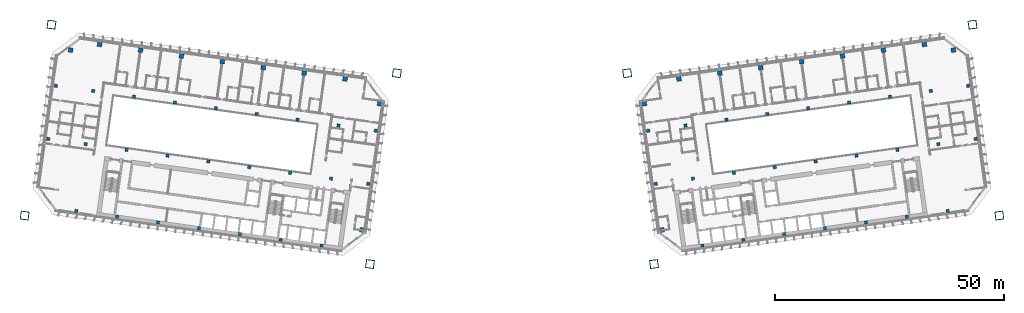
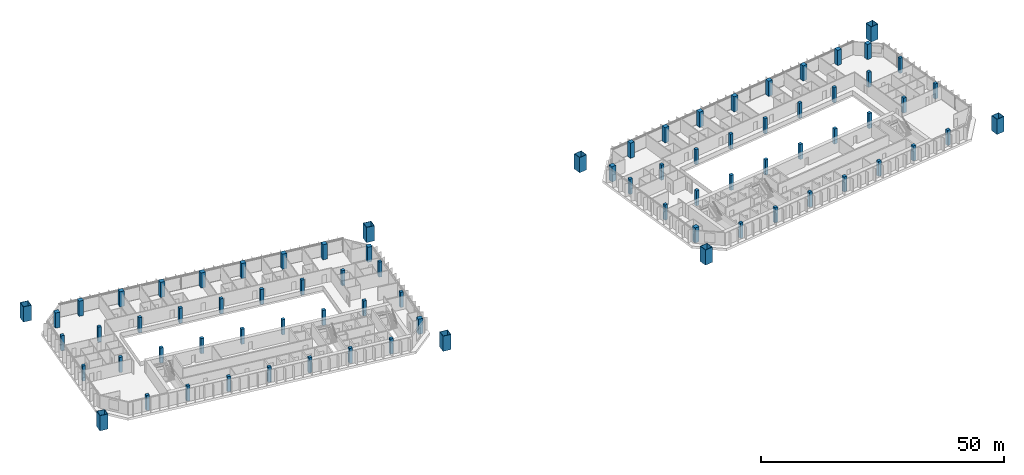
# One storey, part 1 of 24: 78 columns.
"""IFC4 building model written with IfcOpenShell, lengths in metres."""

import ifcopenshell
import ifcopenshell.guid

model = None  # the IFC model being written
_history = None  # IfcOwnerHistory: only IFC2X3 demands one
_inside = {}  # id of a spatial element -> (the spatial element, [elements in it])
_under = {}  # id of a project, library or spatial element -> (it, [spatial elements below it])
_declared = {}  # id of a project -> (the project, [libraries it declares])
_typed = {}  # id of a type object -> (the type object, [elements of that type])
_made_of = {}  # id of a material, layer set ... -> (it, [elements and type objects made of it])


def new_model(schema):
    """Start an empty IFC model of exactly this schema.

    Asked for "IFC4X3", IfcOpenShell would pick the latest addendum, in which some entities
    have other attributes; the version numbers below select the first issue.
    IFC2X3 requires an IfcOwnerHistory on every rooted entity: one is made here for all.
    """
    global model, _history
    if schema == "IFC4X3":
        model = ifcopenshell.file(schema_version=(4, 3, 0, 0))
    else:
        model = ifcopenshell.file(schema=schema)
    _inside.clear()
    _under.clear()
    _declared.clear()
    _typed.clear()
    _made_of.clear()
    _history = None
    if model.schema == "IFC2X3":
        org = make("IfcOrganization", Name="unknown")
        user = make(
            "IfcPersonAndOrganization",
            ThePerson=make("IfcPerson", FamilyName="unknown"),
            TheOrganization=org,
        )
        app = make(
            "IfcApplication",
            ApplicationDeveloper=org,
            Version="unknown",
            ApplicationFullName="unknown",
            ApplicationIdentifier="unknown",
        )
        _history = make(
            "IfcOwnerHistory",
            OwningUser=user,
            OwningApplication=app,
            ChangeAction="ADDED",
            CreationDate=0,
        )
    return model


def make(cls, **values):
    """One entity of the class cls with the attributes given. An attribute that is None is left unset."""
    return model.create_entity(
        cls, **{name: value for name, value in values.items() if value is not None}
    )


def rooted(cls, **values):
    """An entity with a GlobalId (a new one), such as an element, a storey or a relation."""
    return make(cls, GlobalId=ifcopenshell.guid.new(), OwnerHistory=_history, **values)


def si_unit(unit_type, name, prefix=None):
    """IfcSIUnit, for example si_unit("LENGTHUNIT", "METRE", prefix="MILLI")."""
    return make("IfcSIUnit", UnitType=unit_type, Prefix=prefix, Name=name)


def assignment(units):
    """IfcUnitAssignment: the units of a project."""
    return None if units is None else make("IfcUnitAssignment", Units=units)


def point(xyz):
    """IfcCartesianPoint."""
    return None if xyz is None else make("IfcCartesianPoint", Coordinates=xyz)


def direction(xyz):
    """IfcDirection."""
    return None if xyz is None else make("IfcDirection", DirectionRatios=xyz)


def frame(location, z_axis=None, x_axis=None):
    """IfcAxis2Placement3D, a coordinate frame: its origin and axes. An axis left out is left unset."""
    return make(
        "IfcAxis2Placement3D",
        Location=point(location),
        Axis=direction(z_axis),
        RefDirection=direction(x_axis),
    )


def frame_2d(location, x_axis=None):
    """IfcAxis2Placement2D, a coordinate frame in the plane: its origin and x axis."""
    return make(
        "IfcAxis2Placement2D", Location=point(location), RefDirection=direction(x_axis)
    )


def origin():
    """The frame at (0, 0, 0) with its axes left unset."""
    return frame((0.0, 0.0, 0.0))


def origin_2d():
    """The frame at (0, 0) in the plane with its x axis left unset."""
    return frame_2d((0.0, 0.0))


def place(relative_to, where):
    """IfcLocalPlacement: puts the frame where relative to a parent placement (None: the world)."""
    return make(
        "IfcLocalPlacement", PlacementRelTo=relative_to, RelativePlacement=where
    )


def context(
    kind, dimensions, precision=None, world=None, true_north=None, identifier=None
):
    """IfcGeometricRepresentationContext, for example the 3D "Model" context."""
    return make(
        "IfcGeometricRepresentationContext",
        ContextIdentifier=identifier,
        ContextType=kind,
        CoordinateSpaceDimension=dimensions,
        Precision=precision,
        WorldCoordinateSystem=world,
        TrueNorth=true_north,
    )


def subcontext(parent, identifier, kind, view, scale=None):
    """IfcGeometricRepresentationSubContext, for example "Body" below "Model"."""
    return make(
        "IfcGeometricRepresentationSubContext",
        ContextIdentifier=identifier,
        ContextType=kind,
        ParentContext=parent,
        TargetScale=scale,
        TargetView=view,
    )


def project(units=None, contexts=None):
    """IfcProject with its units and contexts."""
    return rooted(
        "IfcProject",
        Name="project",
        RepresentationContexts=contexts,
        UnitsInContext=assignment(units),
    )


def spatial(cls, under=None, at=None, **own):
    """A site, building, storey or space (cls), placed at a placement, below another one or the project."""
    s = rooted(cls, ObjectPlacement=at, **own)
    if under is not None:
        _under.setdefault(under.id(), (under, []))[1].append(s)
    return s


def profile(cls, at=None, kind="AREA", **sizes):
    """A parametric profile (cls). Its sizes go by their IFC names, for example OverallWidth=200.0."""
    return make(cls, ProfileType=kind, Position=at, **sizes)


def rectangle(**sizes):
    """IfcRectangleProfileDef."""
    return profile("IfcRectangleProfileDef", **sizes)


def hollow_rectangle(**sizes):
    """IfcRectangleHollowProfileDef."""
    return profile("IfcRectangleHollowProfileDef", **sizes)


def extrude(swept, where, along, depth):
    """IfcExtrudedAreaSolid: the profile swept, set in the frame where, extruded along a direction by depth."""
    return make(
        "IfcExtrudedAreaSolid",
        SweptArea=swept,
        Position=where,
        ExtrudedDirection=direction(along),
        Depth=depth,
    )


def shape(context_of_items, identifier, shape_type, items):
    """IfcShapeRepresentation: the items that make up one representation, for example the "Body"."""
    return make(
        "IfcShapeRepresentation",
        ContextOfItems=context_of_items,
        RepresentationIdentifier=identifier,
        RepresentationType=shape_type,
        Items=items,
    )


def material(Name=None, Category=None):
    """IfcMaterial."""
    return make("IfcMaterial", Name=Name, Category=Category)


def material_profile(
    of_material, cross_section, Name=None, Category=None, Priority=None
):
    """IfcMaterialProfile: a cross section and its material."""
    return make(
        "IfcMaterialProfile",
        Name=Name,
        Material=of_material,
        Profile=cross_section,
        Priority=Priority,
        Category=Category,
    )


def profile_set(profiles, Name=None, composite=None):
    """IfcMaterialProfileSet."""
    return make(
        "IfcMaterialProfileSet",
        Name=Name,
        MaterialProfiles=profiles,
        CompositeProfile=composite,
    )


def made_of(thing, what):
    """Note that an element or type object is made of a material, layer set ...; save() writes the relation."""
    if what is not None:
        _made_of.setdefault(what.id(), (what, []))[1].append(thing)
    return thing


def type_object(cls, material=None, **own):
    """A type object (cls), such as IfcWallType, which elements share."""
    return made_of(rooted(cls, **own), material)


def element(
    cls,
    number,
    at=None,
    inside=None,
    cuts=None,
    type_object=None,
    material=None,
    context=None,
    identifier="Body",
    shape_type=None,
    held_by="IfcProductDefinitionShape",
    body=None,
    shapes=None,
    **own,
):
    """One element of the class cls, such as IfcWall. Its Tag is "e" and its number.

    at: its placement. inside: the storey or other place that contains it. cuts: it is an
    opening in that element (IfcRelVoidsElement). A single representation is given by context,
    identifier, shape_type and body (its items); several are given by shapes. held_by: the class
    of the entity that holds the representations. save() writes the other relations.
    """
    e = rooted(cls, Tag="e%d" % number, ObjectPlacement=at, **own)
    if body is not None:
        shapes = [shape(context, identifier, shape_type, body)]
    if shapes is not None:
        e.Representation = make(held_by, Representations=shapes)
    if inside is not None:
        _inside.setdefault(inside.id(), (inside, []))[1].append(e)
    if cuts is not None:
        rooted(
            "IfcRelVoidsElement", RelatingBuildingElement=cuts, RelatedOpeningElement=e
        )
    if type_object is not None:
        _typed.setdefault(type_object.id(), (type_object, []))[1].append(e)
    return made_of(e, material)


def aggregate(whole, parts):
    """IfcRelAggregates: a whole, such as a stair, and the parts it consists of."""
    return rooted("IfcRelAggregates", RelatingObject=whole, RelatedObjects=parts)


def save(model, path):
    """Write the relations noted so far, then the file.

    IfcRelAggregates (storeys below a building ...), IfcRelContainedInSpatialStructure (elements
    in a storey), IfcRelDefinesByType, IfcRelAssociatesMaterial and IfcRelDeclares: one each for
    every whole, place, type object, material and project.
    """
    for whole, parts in _under.values():
        aggregate(whole, parts)
    for where, things in _inside.values():
        rooted(
            "IfcRelContainedInSpatialStructure",
            RelatedElements=things,
            RelatingStructure=where,
        )
    for kind, things in _typed.values():
        rooted("IfcRelDefinesByType", RelatedObjects=things, RelatingType=kind)
    for what, things in _made_of.values():
        rooted("IfcRelAssociatesMaterial", RelatedObjects=things, RelatingMaterial=what)
    for by, libraries in _declared.values():
        rooted("IfcRelDeclares", RelatingContext=by, RelatedDefinitions=libraries)
    model.write(path)


model = new_model("IFC4")

# Units and contexts
model_context = context("Model", 3, precision=1e-05, world=origin(), true_north=direction((0.0, 1.0)))
body_context = subcontext(model_context, "Body", "Model", "MODEL_VIEW")
ifc_project = project(units=[si_unit("LENGTHUNIT", "METRE"), si_unit("AREAUNIT", "SQUARE_METRE"), si_unit("VOLUMEUNIT", "CUBIC_METRE"), si_unit("PLANEANGLEUNIT", "RADIAN"), si_unit("MASSUNIT", "GRAM", prefix="KILO")], contexts=[model_context])

# Site, building, storey
site_placement = place(None, origin())
site = spatial("IfcSite", under=ifc_project, at=site_placement, CompositionType="ELEMENT")
building_placement = place(site_placement, origin())
building = spatial("IfcBuilding", under=site, at=building_placement, Name="Mirante Cascada Hotel Towers", CompositionType="ELEMENT")
storey_placement = place(building_placement, frame((0.0, 0.0, 43.3)))
storey = spatial("IfcBuildingStorey", under=building, at=storey_placement, Name="L07", CompositionType="ELEMENT", Elevation=43.3)

# Columns
ifc_material_1 = material(Name="Steel ASTM A572 Gr 50", Category="steel")
ifc_material_profile_1 = material_profile(ifc_material_1, hollow_rectangle(XDim=1.8, YDim=1.8, WallThickness=0.08, at=origin_2d()), Name="Box column 1800x1800x80 ASTM A572 Gr 50")
ifc_profile_set_1 = profile_set([ifc_material_profile_1], Name="Steel ASTM A572 Gr 50")
column_type_1 = type_object("IfcColumnType", Name="Box column 1800x1800x80 ASTM A572 Gr 50", PredefinedType="COLUMN", material=ifc_profile_set_1)
for number, where, z_axis, x_axis, name in (
    (1, (-25.0968, 18.5173, 0.0), (0.0, 0.0, 1.0), (-0.9902681, 0.1391731, 0.0), "Mega column MC1 T1 L07"),
    (2, (-30.9421, -23.074, 0.0), (0.0, 0.0, 1.0), (-0.9902681, 0.1391731, 0.0), "Mega column MC2 T1 L07"),
    (3, (-100.3572, 29.0944, 0.0), (0.0, 0.0, 1.0), (-0.9902681, 0.1391731, 0.0), "Mega column MC3 T1 L07"),
    (4, (-106.2025, -12.4968, 0.0), (0.0, 0.0, 1.0), (-0.9902681, 0.1391731, 0.0), "Mega column MC4 T1 L07"),
    (5, (25.0968, 18.5173, 0.0), (0.0, 0.0, 1.0), (0.9902681, 0.1391731, 0.0), "Mega column MC1 T2 L07"),
    (6, (30.9421, -23.074, 0.0), (0.0, 0.0, 1.0), (0.9902681, 0.1391731, 0.0), "Mega column MC2 T2 L07"),
    (7, (100.3572, 29.0944, 0.0), (0.0, 0.0, 1.0), (0.9902681, 0.1391731, 0.0), "Mega column MC3 T2 L07"),
    (8, (106.2025, -12.4968, 0.0), (0.0, 0.0, 1.0), (0.9902681, 0.1391731, 0.0), "Mega column MC4 T2 L07"),
):
    element("IfcColumn", number, at=place(storey_placement, frame(where, z_axis=z_axis, x_axis=x_axis)), inside=storey, type_object=column_type_1, Name=name, PredefinedType="COLUMN", context=body_context, shape_type="SweptSolid", body=[
        extrude(hollow_rectangle(XDim=1.8, YDim=1.8, WallThickness=0.08, at=origin_2d()), origin(), (0.0, 0.0, 1.0), 3.8),
    ])
ifc_material_2 = material(Name="Concrete C60/75", Category="concrete")
ifc_material_profile_2 = material_profile(ifc_material_2, rectangle(XDim=1.0, YDim=1.0, at=origin_2d()), Name="RC column 1000x1000 C60/75")
ifc_profile_set_2 = profile_set([ifc_material_profile_2], Name="Concrete C60/75")
column_type_2 = type_object("IfcColumnType", Name="RC column 1000x1000 C60/75", PredefinedType="COLUMN", material=ifc_profile_set_2)
for number, where, z_axis, x_axis, name in (
    (9, (-28.8577, 11.8761, 0.0), (0.0, 0.0, 1.0), (-0.9902681, 0.1391731, 0.0), "Column T1 L07 1"),
    (10, (-32.7267, -15.6534, 0.0), (0.0, 0.0, 1.0), (-0.9902681, 0.1391731, 0.0), "Column T1 L07 4"),
    (11, (-36.3795, 17.2754, 0.0), (0.0, 0.0, 1.0), (-0.9902681, 0.1391731, 0.0), "Column T1 L07 5"),
    (12, (-45.2919, 18.528, 0.0), (0.0, 0.0, 1.0), (-0.9902681, 0.1391731, 0.0), "Column T1 L07 9"),
    (13, (-54.2043, 19.7806, 0.0), (0.0, 0.0, 1.0), (-0.9902681, 0.1391731, 0.0), "Column T1 L07 13"),
    (14, (-63.1167, 21.0331, 0.0), (0.0, 0.0, 1.0), (-0.9902681, 0.1391731, 0.0), "Column T1 L07 17"),
    (15, (-72.0291, 22.2857, 0.0), (0.0, 0.0, 1.0), (-0.9902681, 0.1391731, 0.0), "Column T1 L07 21"),
    (16, (-80.9415, 23.5382, 0.0), (0.0, 0.0, 1.0), (-0.9902681, 0.1391731, 0.0), "Column T1 L07 25"),
    (17, (-89.8539, 24.7908, 0.0), (0.0, 0.0, 1.0), (-0.9902681, 0.1391731, 0.0), "Column T1 L07 29"),
    (18, (-96.1868, 23.5602, 0.0), (0.0, 0.0, 1.0), (-0.9902681, 0.1391731, 0.0), "Column T1 L07 33"),
    (19, (28.8577, 11.8761, 0.0), (0.0, 0.0, 1.0), (0.9902681, 0.1391731, 0.0), "Column T2 L07 1"),
    (20, (32.7267, -15.6534, 0.0), (0.0, 0.0, 1.0), (0.9902681, 0.1391731, 0.0), "Column T2 L07 4"),
    (21, (36.3795, 17.2754, 0.0), (0.0, 0.0, 1.0), (0.9902681, 0.1391731, 0.0), "Column T2 L07 5"),
    (22, (45.2919, 18.528, 0.0), (0.0, 0.0, 1.0), (0.9902681, 0.1391731, 0.0), "Column T2 L07 9"),
    (23, (54.2043, 19.7806, 0.0), (0.0, 0.0, 1.0), (0.9902681, 0.1391731, 0.0), "Column T2 L07 13"),
    (24, (63.1167, 21.0331, 0.0), (0.0, 0.0, 1.0), (0.9902681, 0.1391731, 0.0), "Column T2 L07 17"),
    (25, (72.0291, 22.2857, 0.0), (0.0, 0.0, 1.0), (0.9902681, 0.1391731, 0.0), "Column T2 L07 21"),
    (26, (80.9415, 23.5382, 0.0), (0.0, 0.0, 1.0), (0.9902681, 0.1391731, 0.0), "Column T2 L07 25"),
    (27, (89.8539, 24.7908, 0.0), (0.0, 0.0, 1.0), (0.9902681, 0.1391731, 0.0), "Column T2 L07 29"),
    (28, (96.1868, 23.5602, 0.0), (0.0, 0.0, 1.0), (0.9902681, 0.1391731, 0.0), "Column T2 L07 33"),
):
    element("IfcColumn", number, at=place(storey_placement, frame(where, z_axis=z_axis, x_axis=x_axis)), inside=storey, type_object=column_type_2, Name=name, PredefinedType="COLUMN", context=body_context, shape_type="SweptSolid", body=[
        extrude(rectangle(XDim=1.0, YDim=1.0, at=origin_2d()), origin(), (0.0, 0.0, 1.0), 3.8),
    ])
ifc_material_3 = material(Name="Concrete C60/75", Category="concrete")
ifc_material_profile_3 = material_profile(ifc_material_3, rectangle(XDim=0.7, YDim=0.7, at=origin_2d()), Name="RC column 700x700 C60/75")
ifc_profile_set_3 = profile_set([ifc_material_profile_3], Name="Concrete C60/75")
column_type_3 = type_object("IfcColumnType", Name="RC column 700x700 C60/75", PredefinedType="COLUMN", material=ifc_profile_set_3)
for number, where, z_axis, x_axis, name in (
    (29, (-29.6858, 5.984, 0.0), (0.0, 0.0, 1.0), (-0.9902681, 0.1391731, 0.0), "Column T1 L07 2"),
    (30, (-31.3141, -5.6022, 0.0), (0.0, 0.0, 1.0), (-0.9902681, 0.1391731, 0.0), "Column T1 L07 3"),
    (31, (-37.806, 7.1252, 0.0), (0.0, 0.0, 1.0), (-0.9902681, 0.1391731, 0.0), "Column T1 L07 6"),
    (32, (-39.4343, -4.4609, 0.0), (0.0, 0.0, 1.0), (-0.9902681, 0.1391731, 0.0), "Column T1 L07 7"),
    (33, (-41.4802, -19.0179, 0.0), (0.0, 0.0, 1.0), (-0.9902681, 0.1391731, 0.0), "Column T1 L07 8"),
    (34, (-46.7184, 8.3777, 0.0), (0.0, 0.0, 1.0), (-0.9902681, 0.1391731, 0.0), "Column T1 L07 10"),
    (35, (-48.3467, -3.2084, 0.0), (0.0, 0.0, 1.0), (-0.9902681, 0.1391731, 0.0), "Column T1 L07 11"),
    (36, (-50.3926, -17.7653, 0.0), (0.0, 0.0, 1.0), (-0.9902681, 0.1391731, 0.0), "Column T1 L07 12"),
    (37, (-55.6308, 9.6303, 0.0), (0.0, 0.0, 1.0), (-0.9902681, 0.1391731, 0.0), "Column T1 L07 14"),
    (38, (-57.2591, -1.9558, 0.0), (0.0, 0.0, 1.0), (-0.9902681, 0.1391731, 0.0), "Column T1 L07 15"),
    (39, (-59.305, -16.5128, 0.0), (0.0, 0.0, 1.0), (-0.9902681, 0.1391731, 0.0), "Column T1 L07 16"),
    (40, (-64.5432, 10.8829, 0.0), (0.0, 0.0, 1.0), (-0.9902681, 0.1391731, 0.0), "Column T1 L07 18"),
    (41, (-66.1716, -0.7033, 0.0), (0.0, 0.0, 1.0), (-0.9902681, 0.1391731, 0.0), "Column T1 L07 19"),
    (42, (-68.2174, -15.2602, 0.0), (0.0, 0.0, 1.0), (-0.9902681, 0.1391731, 0.0), "Column T1 L07 20"),
    (43, (-73.4556, 12.1354, 0.0), (0.0, 0.0, 1.0), (-0.9902681, 0.1391731, 0.0), "Column T1 L07 22"),
    (44, (-75.084, 0.5493, 0.0), (0.0, 0.0, 1.0), (-0.9902681, 0.1391731, 0.0), "Column T1 L07 23"),
    (45, (-77.1298, -14.0077, 0.0), (0.0, 0.0, 1.0), (-0.9902681, 0.1391731, 0.0), "Column T1 L07 24"),
    (46, (-82.368, 13.388, 0.0), (0.0, 0.0, 1.0), (-0.9902681, 0.1391731, 0.0), "Column T1 L07 26"),
    (47, (-83.9964, 1.8018, 0.0), (0.0, 0.0, 1.0), (-0.9902681, 0.1391731, 0.0), "Column T1 L07 27"),
    (48, (-86.0422, -12.7551, 0.0), (0.0, 0.0, 1.0), (-0.9902681, 0.1391731, 0.0), "Column T1 L07 28"),
    (49, (-91.2805, 14.6405, 0.0), (0.0, 0.0, 1.0), (-0.9902681, 0.1391731, 0.0), "Column T1 L07 30"),
    (50, (-92.9088, 3.0544, 0.0), (0.0, 0.0, 1.0), (-0.9902681, 0.1391731, 0.0), "Column T1 L07 31"),
    (51, (-94.9546, -11.5025, 0.0), (0.0, 0.0, 1.0), (-0.9902681, 0.1391731, 0.0), "Column T1 L07 32"),
    (52, (-99.4007, 15.7818, 0.0), (0.0, 0.0, 1.0), (-0.9902681, 0.1391731, 0.0), "Column T1 L07 34"),
    (53, (-101.029, 4.1956, 0.0), (0.0, 0.0, 1.0), (-0.9902681, 0.1391731, 0.0), "Column T1 L07 35"),
    (54, (29.6858, 5.984, 0.0), (0.0, 0.0, 1.0), (0.9902681, 0.1391731, 0.0), "Column T2 L07 2"),
    (55, (31.3141, -5.6022, 0.0), (0.0, 0.0, 1.0), (0.9902681, 0.1391731, 0.0), "Column T2 L07 3"),
    (56, (37.806, 7.1252, 0.0), (0.0, 0.0, 1.0), (0.9902681, 0.1391731, 0.0), "Column T2 L07 6"),
    (57, (39.4343, -4.4609, 0.0), (0.0, 0.0, 1.0), (0.9902681, 0.1391731, 0.0), "Column T2 L07 7"),
    (58, (41.4802, -19.0179, 0.0), (0.0, 0.0, 1.0), (0.9902681, 0.1391731, 0.0), "Column T2 L07 8"),
    (59, (46.7184, 8.3777, 0.0), (0.0, 0.0, 1.0), (0.9902681, 0.1391731, 0.0), "Column T2 L07 10"),
    (60, (48.3467, -3.2084, 0.0), (0.0, 0.0, 1.0), (0.9902681, 0.1391731, 0.0), "Column T2 L07 11"),
    (61, (50.3926, -17.7653, 0.0), (0.0, 0.0, 1.0), (0.9902681, 0.1391731, 0.0), "Column T2 L07 12"),
    (62, (55.6308, 9.6303, 0.0), (0.0, 0.0, 1.0), (0.9902681, 0.1391731, 0.0), "Column T2 L07 14"),
    (63, (57.2591, -1.9558, 0.0), (0.0, 0.0, 1.0), (0.9902681, 0.1391731, 0.0), "Column T2 L07 15"),
    (64, (59.305, -16.5128, 0.0), (0.0, 0.0, 1.0), (0.9902681, 0.1391731, 0.0), "Column T2 L07 16"),
    (65, (64.5432, 10.8829, 0.0), (0.0, 0.0, 1.0), (0.9902681, 0.1391731, 0.0), "Column T2 L07 18"),
    (66, (66.1716, -0.7033, 0.0), (0.0, 0.0, 1.0), (0.9902681, 0.1391731, 0.0), "Column T2 L07 19"),
    (67, (68.2174, -15.2602, 0.0), (0.0, 0.0, 1.0), (0.9902681, 0.1391731, 0.0), "Column T2 L07 20"),
    (68, (73.4556, 12.1354, 0.0), (0.0, 0.0, 1.0), (0.9902681, 0.1391731, 0.0), "Column T2 L07 22"),
    (69, (75.084, 0.5493, 0.0), (0.0, 0.0, 1.0), (0.9902681, 0.1391731, 0.0), "Column T2 L07 23"),
    (70, (77.1298, -14.0077, 0.0), (0.0, 0.0, 1.0), (0.9902681, 0.1391731, 0.0), "Column T2 L07 24"),
    (71, (82.368, 13.388, 0.0), (0.0, 0.0, 1.0), (0.9902681, 0.1391731, 0.0), "Column T2 L07 26"),
    (72, (83.9964, 1.8018, 0.0), (0.0, 0.0, 1.0), (0.9902681, 0.1391731, 0.0), "Column T2 L07 27"),
    (73, (86.0422, -12.7551, 0.0), (0.0, 0.0, 1.0), (0.9902681, 0.1391731, 0.0), "Column T2 L07 28"),
    (74, (91.2805, 14.6405, 0.0), (0.0, 0.0, 1.0), (0.9902681, 0.1391731, 0.0), "Column T2 L07 30"),
    (75, (92.9088, 3.0544, 0.0), (0.0, 0.0, 1.0), (0.9902681, 0.1391731, 0.0), "Column T2 L07 31"),
    (76, (94.9546, -11.5025, 0.0), (0.0, 0.0, 1.0), (0.9902681, 0.1391731, 0.0), "Column T2 L07 32"),
    (77, (99.4007, 15.7818, 0.0), (0.0, 0.0, 1.0), (0.9902681, 0.1391731, 0.0), "Column T2 L07 34"),
    (78, (101.029, 4.1956, 0.0), (0.0, 0.0, 1.0), (0.9902681, 0.1391731, 0.0), "Column T2 L07 35"),
):
    element("IfcColumn", number, at=place(storey_placement, frame(where, z_axis=z_axis, x_axis=x_axis)), inside=storey, type_object=column_type_3, Name=name, PredefinedType="COLUMN", context=body_context, shape_type="SweptSolid", body=[
        extrude(rectangle(XDim=0.7, YDim=0.7, at=origin_2d()), origin(), (0.0, 0.0, 1.0), 3.8),
    ])

save(model, "model.ifc")
